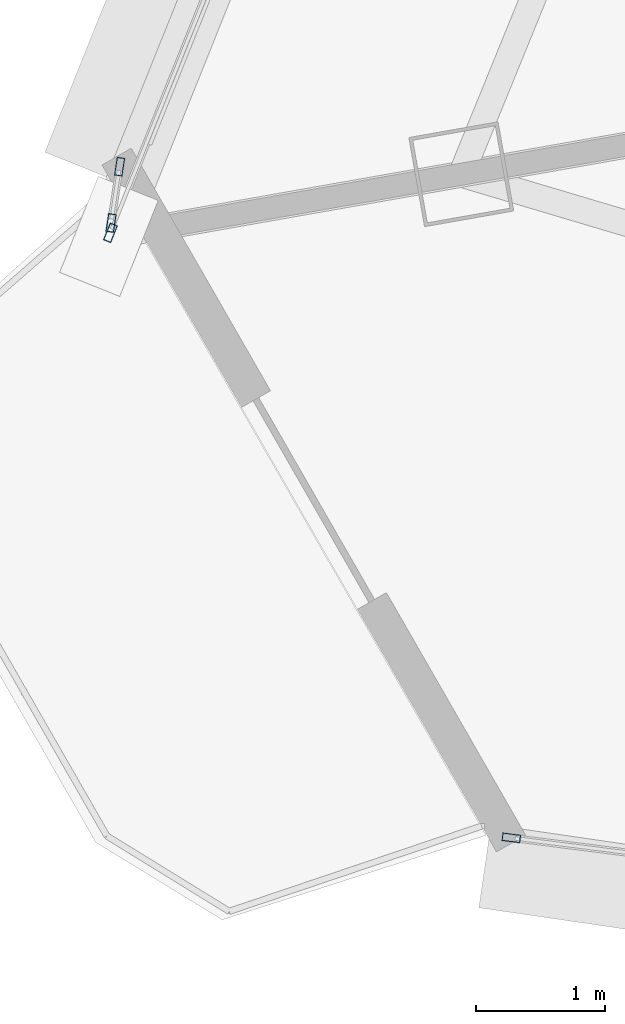
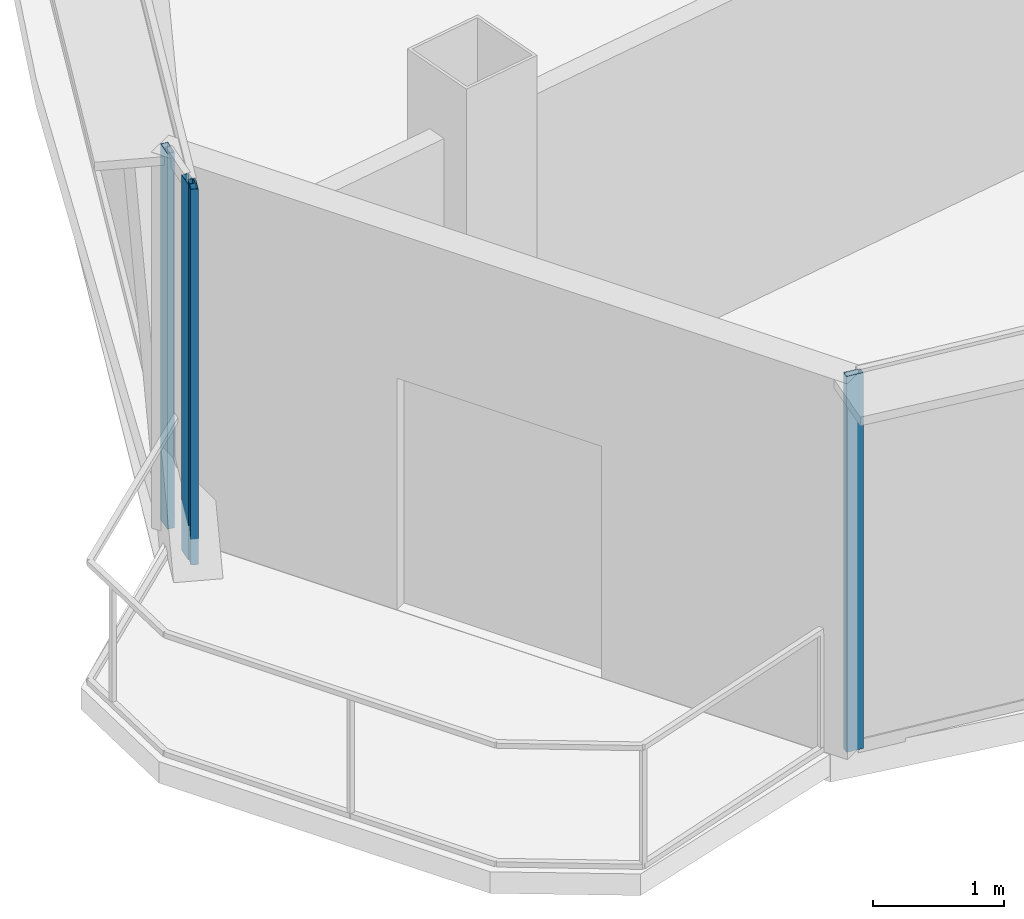
# One storey, part 2 of 30: 4 members, 3 elements without a shape of their own.
"""IFC4 building model written with IfcOpenShell, lengths in metres."""

from ifc_helpers import new_model, si_unit, direction, frame, origin, origin_2d, place, context, subcontext, project, spatial, hollow_rectangle, extrude, source, transform, mapped, material, layer, layer_set, material_profile, profile_set, type_object, element, aggregate, save


model = new_model("IFC4")

# Units and contexts
model_context = context("Model", 3, precision=1e-05, world=origin(), true_north=direction((0.0, 1.0)))
body_context = subcontext(model_context, "Body", "Model", "MODEL_VIEW")
ifc_project = project(units=[si_unit("LENGTHUNIT", "METRE"), si_unit("AREAUNIT", "SQUARE_METRE"), si_unit("VOLUMEUNIT", "CUBIC_METRE"), si_unit("PLANEANGLEUNIT", "RADIAN"), si_unit("MASSUNIT", "GRAM", prefix="KILO"), si_unit("THERMODYNAMICTEMPERATUREUNIT", "KELVIN"), si_unit("POWERUNIT", "WATT")], contexts=[model_context])

# Site, building, storey
site_placement = place(None, origin())
site = spatial("IfcSite", under=ifc_project, at=site_placement, CompositionType="ELEMENT")
building_placement = place(site_placement, origin())
building = spatial("IfcBuilding", under=site, at=building_placement, Name="Yunzhuo Pagoda Commons", CompositionType="ELEMENT")
storey_placement = place(building_placement, frame((0.0, 0.0, 351.760009765625)))
storey = spatial("IfcBuildingStorey", under=building, at=storey_placement, Name="L88", CompositionType="ELEMENT", Elevation=351.760009765625)

# Curtain wall, member
ifc_material = material(Name="Anodized aluminium 6063-T6", Category="aluminium")
ifc_layer = layer(ifc_material, 0.139892578125)
ifc_layer_set = layer_set([ifc_layer], Name="Anodized aluminium 6063-T6")
curtain_wall_type = type_object("IfcCurtainWallType", Name="CW-HI High-Zone Ribbon Curtain Wall", PredefinedType="NOTDEFINED", material=ifc_layer_set)
curtain_wall_1_placement = place(storey_placement, origin())
curtain_wall_1 = element("IfcCurtainWall", 1, at=curtain_wall_1_placement, inside=storey, type_object=curtain_wall_type, Name="L88 curtain wall CW-L88-F1B1", PredefinedType="NOTDEFINED")
ifc_material_profile = material_profile(ifc_material, hollow_rectangle(XDim=0.06005859375, YDim=0.139892578125, WallThickness=0.00341796875, at=origin_2d()), Name="Anodized aluminium 6063-T6")
ifc_profile_set = profile_set([ifc_material_profile], Name="Anodized aluminium 6063-T6")
member_type = type_object("IfcMemberType", Name="CW-HI-M Mullion RHS 140x60x3.5", PredefinedType="MULLION", material=ifc_profile_set)
shared_shape = source(origin(), body_context, "Body", "SweptSolid", [
    extrude(hollow_rectangle(XDim=0.06005859375, YDim=0.139892578125, WallThickness=0.00341796875, at=origin_2d()), origin(), (0.0, 0.0, 1.0), 3.489990234375),
])
member_1_placement = place(storey_placement, frame((23.91650390625, 24.255615234375, 0.0), z_axis=(0.0, 0.0, 1.0), x_axis=(0.126570661327, 0.991957593696, 0.0)))
member_1 = element("IfcMember", 2, at=member_1_placement, type_object=member_type, Name="CW mullion 1", PredefinedType="MULLION", context=body_context, shape_type="MappedRepresentation", body=[
    mapped(shared_shape, transform((0.0, 0.0, 0.0), scale=1.0)),
])
aggregate(curtain_wall_1, [member_1])

curtain_wall_2_placement = place(storey_placement, origin())
curtain_wall_2 = element("IfcCurtainWall", 3, at=curtain_wall_2_placement, inside=storey, type_object=curtain_wall_type, Name="L88 curtain wall CW-L88-F3B4", PredefinedType="NOTDEFINED")
member_2_placement = place(storey_placement, frame((20.817626953125, 28.932861328125, 0.0), z_axis=(0.0, 0.0, 1.0), x_axis=(0.92803921175, -0.372482511608, 0.0)))
member_2 = element("IfcMember", 4, at=member_2_placement, type_object=member_type, Name="CW mullion 2", PredefinedType="MULLION", context=body_context, shape_type="MappedRepresentation", body=[
    mapped(shared_shape, transform((0.0, 0.0, 0.0), scale=1.0)),
])
aggregate(curtain_wall_2, [member_2])

# Curtain wall, members
curtain_wall_3_placement = place(storey_placement, origin())
curtain_wall_3 = element("IfcCurtainWall", 5, at=curtain_wall_3_placement, inside=storey, type_object=curtain_wall_type, Name="L88 curtain wall CW-L88-F3B5", PredefinedType="NOTDEFINED")
member_3_placement = place(storey_placement, frame((20.822265625, 29.0087890625, 0.0), z_axis=(0.0, 0.0, 1.0), x_axis=(-0.988629179637, 0.150374017607, 0.0)))
member_3 = element("IfcMember", 6, at=member_3_placement, type_object=member_type, Name="CW mullion 1", PredefinedType="MULLION", context=body_context, shape_type="MappedRepresentation", body=[
    mapped(shared_shape, transform((0.0, 0.0, 0.0), scale=1.0)),
])
member_4_placement = place(storey_placement, frame((20.888427734375, 29.44384765625, 0.0), z_axis=(0.0, 0.0, 1.0), x_axis=(-0.988629179637, 0.150374017607, 0.0)))
member_4 = element("IfcMember", 7, at=member_4_placement, type_object=member_type, Name="CW mullion 2", PredefinedType="MULLION", context=body_context, shape_type="MappedRepresentation", body=[
    mapped(shared_shape, transform((0.0, 0.0, 0.0), scale=1.0)),
])
aggregate(curtain_wall_3, [member_3, member_4])

save(model, "model.ifc")
